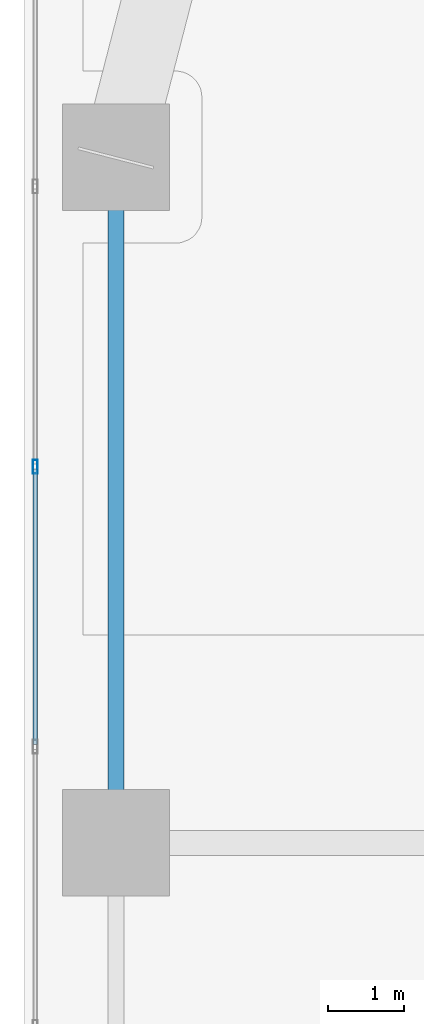
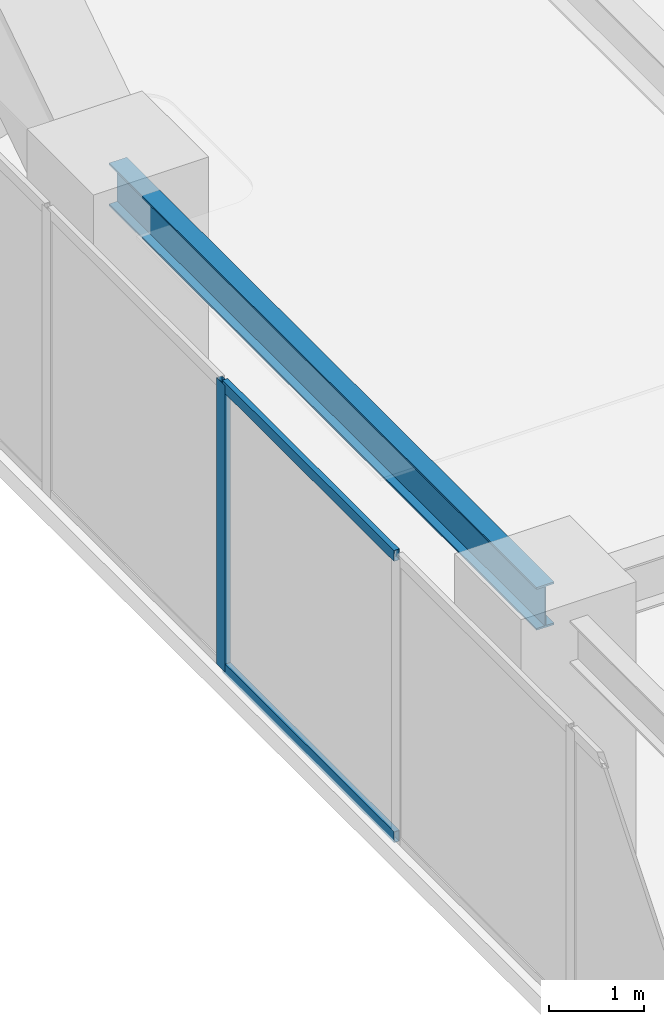
# One storey, part 7 of 30: 3 members, 1 beam, 1 element without a shape of its own.
"""IFC4 building model written with IfcOpenShell, lengths in metres."""

from ifc_helpers import new_model, si_unit, direction, frame, origin, origin_2d, place, context, subcontext, project, spatial, hollow_rectangle, i_section, extrude, material, layer, layer_set, material_profile, profile_set, type_object, element, aggregate, save


model = new_model("IFC4")

# Units and contexts
model_context = context("Model", 3, precision=1e-05, world=origin(), true_north=direction((0.0, 1.0)))
body_context = subcontext(model_context, "Body", "Model", "MODEL_VIEW")
ifc_project = project(units=[si_unit("LENGTHUNIT", "METRE"), si_unit("AREAUNIT", "SQUARE_METRE"), si_unit("VOLUMEUNIT", "CUBIC_METRE"), si_unit("PLANEANGLEUNIT", "RADIAN"), si_unit("MASSUNIT", "GRAM", prefix="KILO")], contexts=[model_context])

# Site, building, storey
site_placement = place(None, origin())
site = spatial("IfcSite", under=ifc_project, at=site_placement, CompositionType="ELEMENT")
building_placement = place(site_placement, origin())
building = spatial("IfcBuilding", under=site, at=building_placement, Name="Kiyonajd Concourse Tower", CompositionType="ELEMENT")
storey_placement = place(building_placement, frame((0.0, 0.0, 150.60009765625)))
storey = spatial("IfcBuildingStorey", under=building, at=storey_placement, Name="L38", CompositionType="ELEMENT", Elevation=150.60009765625)

# Beam
ifc_material_1 = material(Name="Steel ASTM A992 Grade 50", Category="steel")
ifc_material_profile_1 = material_profile(ifc_material_1, i_section(OverallWidth=0.214111328125, OverallDepth=0.549072265625, WebThickness=0.0146484375, FlangeThickness=0.023681640625, at=origin_2d()), Name="W530X138")
ifc_profile_set_1 = profile_set([ifc_material_profile_1], Name="Steel ASTM A992 Grade 50")
beam_type = type_object("IfcBeamType", Name="BM-SPAN-530A", PredefinedType="SPANDREL", material=ifc_profile_set_1)
beam_placement = place(storey_placement, frame((19.199951171875, 53.39990234375, 3.405517578125), z_axis=(0.0, -1.0, 0.0), x_axis=(1.0, 0.0, 0.0)))
element("IfcBeam", 1, at=beam_placement, inside=storey, type_object=beam_type, Name="L38 Perimeter Bundled Tube Spandrel", PredefinedType="SPANDREL", context=body_context, shape_type="SweptSolid", body=[
    extrude(i_section(OverallWidth=0.214111328125, OverallDepth=0.549072265625, WebThickness=0.0146484375, FlangeThickness=0.023681640625, at=origin_2d()), origin(), (0.0, 0.0, 1.0), 9.0),
])

# Curtain wall, members
ifc_material_2 = material(Name="Thermally Broken Anodised Aluminium", Category="aluminium")
ifc_layer = layer(ifc_material_2, 0.179931640625)
ifc_layer_set = layer_set([ifc_layer], Name="Thermally Broken Anodised Aluminium")
curtain_wall_type = type_object("IfcCurtainWallType", Name="CW-SYS-03", PredefinedType="NOTDEFINED", material=ifc_layer_set)
curtain_wall_placement = place(storey_placement, origin())
curtain_wall = element("IfcCurtainWall", 2, at=curtain_wall_placement, inside=storey, type_object=curtain_wall_type, Name="L38 Unitised Curtain Wall CW3", PredefinedType="NOTDEFINED")
ifc_material_profile_2 = material_profile(ifc_material_2, hollow_rectangle(XDim=0.06494140625, YDim=0.179931640625, WallThickness=0.00390625, at=origin_2d()), Name="MULL-65x180")
ifc_profile_set_2 = profile_set([ifc_material_profile_2], Name="Thermally Broken Anodised Aluminium")
member_type_1 = type_object("IfcMemberType", Name="MB-CW-MULL1", PredefinedType="MULLION", material=ifc_profile_set_2)
member_1_placement = place(storey_placement, frame((18.139892578125, 49.337646484375, 0.0), z_axis=(0.0, 0.0, 1.0), x_axis=(-1.0, 0.0, 0.0)))
member_1 = element("IfcMember", 3, at=member_1_placement, type_object=member_type_1, Name="CW3 mullion 5", PredefinedType="MULLION", context=body_context, shape_type="SweptSolid", body=[
    extrude(hollow_rectangle(XDim=0.06494140625, YDim=0.179931640625, WallThickness=0.00390625, at=origin_2d()), origin(), (0.0, 0.0, 1.0), 3.679931640625),
])
ifc_material_profile_3 = material_profile(ifc_material_2, hollow_rectangle(XDim=0.06494140625, YDim=0.139892578125, WallThickness=0.00390625, at=origin_2d()), Name="TRAN-65x140")
ifc_profile_set_3 = profile_set([ifc_material_profile_3], Name="Thermally Broken Anodised Aluminium")
member_type_2 = type_object("IfcMemberType", Name="MB-CW-TRAN1", PredefinedType="USERDEFINED", material=ifc_profile_set_3)
member_2_placement = place(storey_placement, frame((18.139892578125, 45.693359375, 0.032470703125), z_axis=(0.0, 1.0, 0.0), x_axis=(-1.0, 0.0, 0.0)))
member_2 = element("IfcMember", 4, at=member_2_placement, type_object=member_type_2, Name="CW3 transom 4.1", ObjectType="TRANSOM", PredefinedType="USERDEFINED", context=body_context, shape_type="SweptSolid", body=[
    extrude(hollow_rectangle(XDim=0.06494140625, YDim=0.139892578125, WallThickness=0.00390625, at=origin_2d()), origin(), (0.0, 0.0, 1.0), 3.61181640625),
])
member_3_placement = place(storey_placement, frame((18.139892578125, 45.693359375, 3.6474609375), z_axis=(0.0, 1.0, 0.0), x_axis=(-1.0, 0.0, 0.0)))
member_3 = element("IfcMember", 5, at=member_3_placement, type_object=member_type_2, Name="CW3 transom 4.2", ObjectType="TRANSOM", PredefinedType="USERDEFINED", context=body_context, shape_type="SweptSolid", body=[
    extrude(hollow_rectangle(XDim=0.06494140625, YDim=0.139892578125, WallThickness=0.00390625, at=origin_2d()), origin(), (0.0, 0.0, 1.0), 3.61181640625),
])
aggregate(curtain_wall, [member_1, member_2, member_3])

save(model, "model.ifc")
